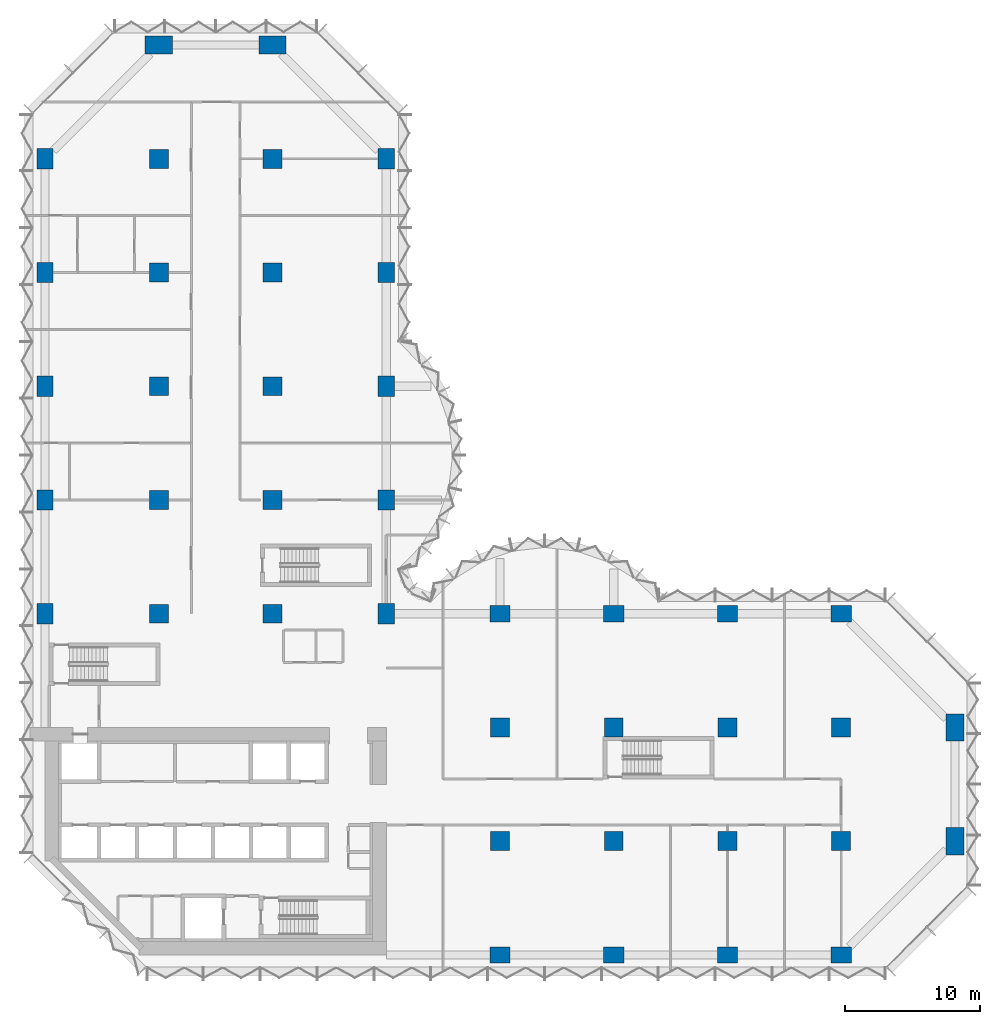
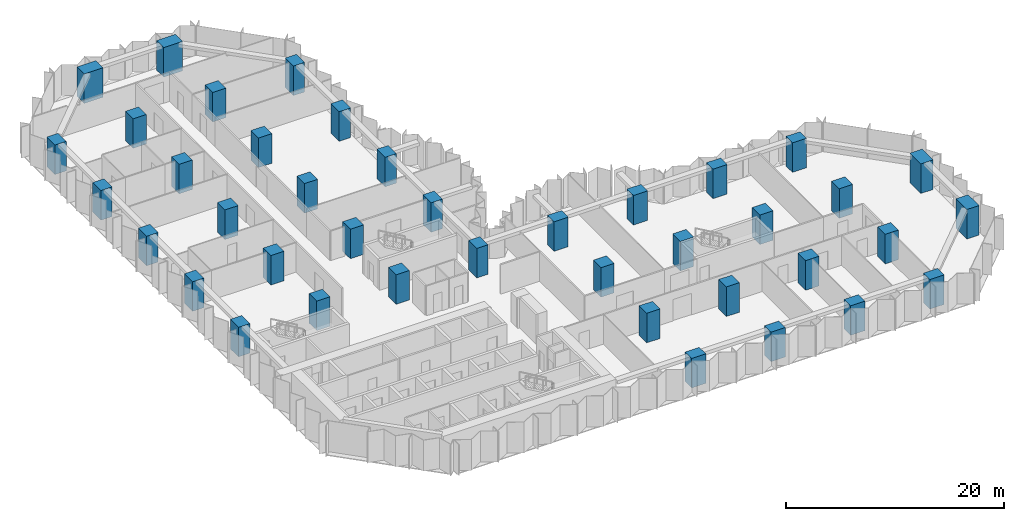
# One storey, part 1 of 15: 40 columns.
"""IFC4 building model written with IfcOpenShell, lengths in metres."""

import ifcopenshell
import ifcopenshell.guid

model = None  # the IFC model being written
_history = None  # IfcOwnerHistory: only IFC2X3 demands one
_inside = {}  # id of a spatial element -> (the spatial element, [elements in it])
_under = {}  # id of a project, library or spatial element -> (it, [spatial elements below it])
_declared = {}  # id of a project -> (the project, [libraries it declares])
_typed = {}  # id of a type object -> (the type object, [elements of that type])
_made_of = {}  # id of a material, layer set ... -> (it, [elements and type objects made of it])


def new_model(schema):
    """Start an empty IFC model of exactly this schema.

    Asked for "IFC4X3", IfcOpenShell would pick the latest addendum, in which some entities
    have other attributes; the version numbers below select the first issue.
    IFC2X3 requires an IfcOwnerHistory on every rooted entity: one is made here for all.
    """
    global model, _history
    if schema == "IFC4X3":
        model = ifcopenshell.file(schema_version=(4, 3, 0, 0))
    else:
        model = ifcopenshell.file(schema=schema)
    _inside.clear()
    _under.clear()
    _declared.clear()
    _typed.clear()
    _made_of.clear()
    _history = None
    if model.schema == "IFC2X3":
        org = make("IfcOrganization", Name="unknown")
        user = make(
            "IfcPersonAndOrganization",
            ThePerson=make("IfcPerson", FamilyName="unknown"),
            TheOrganization=org,
        )
        app = make(
            "IfcApplication",
            ApplicationDeveloper=org,
            Version="unknown",
            ApplicationFullName="unknown",
            ApplicationIdentifier="unknown",
        )
        _history = make(
            "IfcOwnerHistory",
            OwningUser=user,
            OwningApplication=app,
            ChangeAction="ADDED",
            CreationDate=0,
        )
    return model


def make(cls, **values):
    """One entity of the class cls with the attributes given. An attribute that is None is left unset."""
    return model.create_entity(
        cls, **{name: value for name, value in values.items() if value is not None}
    )


def rooted(cls, **values):
    """An entity with a GlobalId (a new one), such as an element, a storey or a relation."""
    return make(cls, GlobalId=ifcopenshell.guid.new(), OwnerHistory=_history, **values)


def si_unit(unit_type, name, prefix=None):
    """IfcSIUnit, for example si_unit("LENGTHUNIT", "METRE", prefix="MILLI")."""
    return make("IfcSIUnit", UnitType=unit_type, Prefix=prefix, Name=name)


def assignment(units):
    """IfcUnitAssignment: the units of a project."""
    return None if units is None else make("IfcUnitAssignment", Units=units)


def point(xyz):
    """IfcCartesianPoint."""
    return None if xyz is None else make("IfcCartesianPoint", Coordinates=xyz)


def direction(xyz):
    """IfcDirection."""
    return None if xyz is None else make("IfcDirection", DirectionRatios=xyz)


def frame(location, z_axis=None, x_axis=None):
    """IfcAxis2Placement3D, a coordinate frame: its origin and axes. An axis left out is left unset."""
    return make(
        "IfcAxis2Placement3D",
        Location=point(location),
        Axis=direction(z_axis),
        RefDirection=direction(x_axis),
    )


def frame_2d(location, x_axis=None):
    """IfcAxis2Placement2D, a coordinate frame in the plane: its origin and x axis."""
    return make(
        "IfcAxis2Placement2D", Location=point(location), RefDirection=direction(x_axis)
    )


def origin():
    """The frame at (0, 0, 0) with its axes left unset."""
    return frame((0.0, 0.0, 0.0))


def origin_2d():
    """The frame at (0, 0) in the plane with its x axis left unset."""
    return frame_2d((0.0, 0.0))


def place(relative_to, where):
    """IfcLocalPlacement: puts the frame where relative to a parent placement (None: the world)."""
    return make(
        "IfcLocalPlacement", PlacementRelTo=relative_to, RelativePlacement=where
    )


def context(
    kind, dimensions, precision=None, world=None, true_north=None, identifier=None
):
    """IfcGeometricRepresentationContext, for example the 3D "Model" context."""
    return make(
        "IfcGeometricRepresentationContext",
        ContextIdentifier=identifier,
        ContextType=kind,
        CoordinateSpaceDimension=dimensions,
        Precision=precision,
        WorldCoordinateSystem=world,
        TrueNorth=true_north,
    )


def subcontext(parent, identifier, kind, view, scale=None):
    """IfcGeometricRepresentationSubContext, for example "Body" below "Model"."""
    return make(
        "IfcGeometricRepresentationSubContext",
        ContextIdentifier=identifier,
        ContextType=kind,
        ParentContext=parent,
        TargetScale=scale,
        TargetView=view,
    )


def project(units=None, contexts=None):
    """IfcProject with its units and contexts."""
    return rooted(
        "IfcProject",
        Name="project",
        RepresentationContexts=contexts,
        UnitsInContext=assignment(units),
    )


def spatial(cls, under=None, at=None, **own):
    """A site, building, storey or space (cls), placed at a placement, below another one or the project."""
    s = rooted(cls, ObjectPlacement=at, **own)
    if under is not None:
        _under.setdefault(under.id(), (under, []))[1].append(s)
    return s


def profile(cls, at=None, kind="AREA", **sizes):
    """A parametric profile (cls). Its sizes go by their IFC names, for example OverallWidth=200.0."""
    return make(cls, ProfileType=kind, Position=at, **sizes)


def rectangle(**sizes):
    """IfcRectangleProfileDef."""
    return profile("IfcRectangleProfileDef", **sizes)


def extrude(swept, where, along, depth):
    """IfcExtrudedAreaSolid: the profile swept, set in the frame where, extruded along a direction by depth."""
    return make(
        "IfcExtrudedAreaSolid",
        SweptArea=swept,
        Position=where,
        ExtrudedDirection=direction(along),
        Depth=depth,
    )


def shape(context_of_items, identifier, shape_type, items):
    """IfcShapeRepresentation: the items that make up one representation, for example the "Body"."""
    return make(
        "IfcShapeRepresentation",
        ContextOfItems=context_of_items,
        RepresentationIdentifier=identifier,
        RepresentationType=shape_type,
        Items=items,
    )


def material(Name=None, Category=None):
    """IfcMaterial."""
    return make("IfcMaterial", Name=Name, Category=Category)


def material_profile(
    of_material, cross_section, Name=None, Category=None, Priority=None
):
    """IfcMaterialProfile: a cross section and its material."""
    return make(
        "IfcMaterialProfile",
        Name=Name,
        Material=of_material,
        Profile=cross_section,
        Priority=Priority,
        Category=Category,
    )


def profile_set(profiles, Name=None, composite=None):
    """IfcMaterialProfileSet."""
    return make(
        "IfcMaterialProfileSet",
        Name=Name,
        MaterialProfiles=profiles,
        CompositeProfile=composite,
    )


def made_of(thing, what):
    """Note that an element or type object is made of a material, layer set ...; save() writes the relation."""
    if what is not None:
        _made_of.setdefault(what.id(), (what, []))[1].append(thing)
    return thing


def type_object(cls, material=None, **own):
    """A type object (cls), such as IfcWallType, which elements share."""
    return made_of(rooted(cls, **own), material)


def element(
    cls,
    number,
    at=None,
    inside=None,
    cuts=None,
    type_object=None,
    material=None,
    context=None,
    identifier="Body",
    shape_type=None,
    held_by="IfcProductDefinitionShape",
    body=None,
    shapes=None,
    **own,
):
    """One element of the class cls, such as IfcWall. Its Tag is "e" and its number.

    at: its placement. inside: the storey or other place that contains it. cuts: it is an
    opening in that element (IfcRelVoidsElement). A single representation is given by context,
    identifier, shape_type and body (its items); several are given by shapes. held_by: the class
    of the entity that holds the representations. save() writes the other relations.
    """
    e = rooted(cls, Tag="e%d" % number, ObjectPlacement=at, **own)
    if body is not None:
        shapes = [shape(context, identifier, shape_type, body)]
    if shapes is not None:
        e.Representation = make(held_by, Representations=shapes)
    if inside is not None:
        _inside.setdefault(inside.id(), (inside, []))[1].append(e)
    if cuts is not None:
        rooted(
            "IfcRelVoidsElement", RelatingBuildingElement=cuts, RelatedOpeningElement=e
        )
    if type_object is not None:
        _typed.setdefault(type_object.id(), (type_object, []))[1].append(e)
    return made_of(e, material)


def aggregate(whole, parts):
    """IfcRelAggregates: a whole, such as a stair, and the parts it consists of."""
    return rooted("IfcRelAggregates", RelatingObject=whole, RelatedObjects=parts)


def save(model, path):
    """Write the relations noted so far, then the file.

    IfcRelAggregates (storeys below a building ...), IfcRelContainedInSpatialStructure (elements
    in a storey), IfcRelDefinesByType, IfcRelAssociatesMaterial and IfcRelDeclares: one each for
    every whole, place, type object, material and project.
    """
    for whole, parts in _under.values():
        aggregate(whole, parts)
    for where, things in _inside.values():
        rooted(
            "IfcRelContainedInSpatialStructure",
            RelatedElements=things,
            RelatingStructure=where,
        )
    for kind, things in _typed.values():
        rooted("IfcRelDefinesByType", RelatedObjects=things, RelatingType=kind)
    for what, things in _made_of.values():
        rooted("IfcRelAssociatesMaterial", RelatedObjects=things, RelatingMaterial=what)
    for by, libraries in _declared.values():
        rooted("IfcRelDeclares", RelatingContext=by, RelatedDefinitions=libraries)
    model.write(path)


model = new_model("IFC4")

# Units and contexts
model_context = context("Model", 3, precision=1e-05, world=origin(), true_north=direction((0.0, 1.0)))
body_context = subcontext(model_context, "Body", "Model", "MODEL_VIEW")
ifc_project = project(units=[si_unit("LENGTHUNIT", "METRE"), si_unit("AREAUNIT", "SQUARE_METRE"), si_unit("VOLUMEUNIT", "CUBIC_METRE"), si_unit("PLANEANGLEUNIT", "RADIAN"), si_unit("MASSUNIT", "GRAM", prefix="KILO")], contexts=[model_context])

# Site, building, storey
site_placement = place(None, origin())
site = spatial("IfcSite", under=ifc_project, at=site_placement, CompositionType="ELEMENT")
building_placement = place(site_placement, origin())
building = spatial("IfcBuilding", under=site, at=building_placement, Name="Brevane Broadcast Tower", CompositionType="ELEMENT")
storey_placement = place(building_placement, frame((0.0, 0.0, 83.300048828125)))
storey = spatial("IfcBuildingStorey", under=building, at=storey_placement, Name="L19", CompositionType="ELEMENT", Elevation=83.300048828125)

# Columns
ifc_material = material(Name="Concrete C80/95", Category="concrete")
ifc_material_profile_1 = material_profile(ifc_material, rectangle(XDim=1.199951171875, YDim=1.5, at=origin_2d()), Name="RC 1200x1500")
ifc_profile_set_1 = profile_set([ifc_material_profile_1], Name="Concrete C80/95")
column_type_1 = type_object("IfcColumnType", Name="RC COLUMN EDGE 1200x1500 C80/95", PredefinedType="COLUMN", material=ifc_profile_set_1)
for number, where, z_axis, x_axis, name in (
    (1, (0.0, 25.199951171875, 0.0), (0.0, 0.0, 1.0), (1.0, 0.0, 0.0), "CE5 1/D"),
    (2, (0.0, 33.60009765625, 0.0), (0.0, 0.0, 1.0), (1.0, 0.0, 0.0), "CE5 1/E"),
    (3, (0.0, 42.0, 0.0), (0.0, 0.0, 1.0), (1.0, 0.0, 0.0), "CE5 1/F"),
    (4, (0.0, 50.39990234375, 0.0), (0.0, 0.0, 1.0), (1.0, 0.0, 0.0), "CE5 1/G"),
    (5, (0.0, 58.800048828125, 0.0), (0.0, 0.0, 1.0), (1.0, 0.0, 0.0), "CE5 1/H"),
    (6, (25.199951171875, 25.199951171875, 0.0), (0.0, 0.0, 1.0), (1.0, 0.0, 0.0), "CE5 4/D"),
    (7, (25.199951171875, 33.60009765625, 0.0), (0.0, 0.0, 1.0), (1.0, 0.0, 0.0), "CE5 4/E"),
    (8, (25.199951171875, 42.0, 0.0), (0.0, 0.0, 1.0), (1.0, 0.0, 0.0), "CE5 4/F"),
    (9, (25.199951171875, 50.39990234375, 0.0), (0.0, 0.0, 1.0), (1.0, 0.0, 0.0), "CE5 4/G"),
    (10, (25.199951171875, 58.800048828125, 0.0), (0.0, 0.0, 1.0), (1.0, 0.0, 0.0), "CE5 4/H"),
    (11, (33.60009765625, 0.0, 0.0), (0.0, 0.0, 1.0), (0.0, 1.0, 0.0), "CE5 5/A"),
    (12, (33.60009765625, 25.199951171875, 0.0), (0.0, 0.0, 1.0), (0.0, 1.0, 0.0), "CE5 5/D"),
    (13, (42.0, 0.0, 0.0), (0.0, 0.0, 1.0), (0.0, 1.0, 0.0), "CE5 6/A"),
    (14, (42.0, 25.199951171875, 0.0), (0.0, 0.0, 1.0), (0.0, 1.0, 0.0), "CE5 6/D"),
    (15, (50.39990234375, 0.0, 0.0), (0.0, 0.0, 1.0), (0.0, 1.0, 0.0), "CE5 7/A"),
    (16, (50.39990234375, 25.199951171875, 0.0), (0.0, 0.0, 1.0), (0.0, 1.0, 0.0), "CE5 7/D"),
    (17, (58.800048828125, 0.0, 0.0), (0.0, 0.0, 1.0), (0.0, 1.0, 0.0), "CE5 8/A"),
    (18, (58.800048828125, 25.199951171875, 0.0), (0.0, 0.0, 1.0), (0.0, 1.0, 0.0), "CE5 8/D"),
):
    element("IfcColumn", number, at=place(storey_placement, frame(where, z_axis=z_axis, x_axis=x_axis)), inside=storey, type_object=column_type_1, Name=name, PredefinedType="COLUMN", context=body_context, shape_type="SweptSolid", body=[
        extrude(rectangle(XDim=1.199951171875, YDim=1.5, at=origin_2d()), origin(), (0.0, 0.0, 1.0), 3.300048828125),
    ])
ifc_material_profile_2 = material_profile(ifc_material, rectangle(XDim=1.39990234375, YDim=1.39990234375, at=origin_2d()), Name="RC 1400x1400")
ifc_profile_set_2 = profile_set([ifc_material_profile_2], Name="Concrete C80/95")
column_type_2 = type_object("IfcColumnType", Name="RC COLUMN INTERIOR 1400x1400 C80/95", PredefinedType="COLUMN", material=ifc_profile_set_2)
for number, where, z_axis, x_axis, name in (
    (19, (8.39990234375, 25.199951171875, 0.0), (0.0, 0.0, 1.0), (1.0, 0.0, 0.0), "CI6 2/D"),
    (20, (8.39990234375, 33.60009765625, 0.0), (0.0, 0.0, 1.0), (1.0, 0.0, 0.0), "CI6 2/E"),
    (21, (8.39990234375, 42.0, 0.0), (0.0, 0.0, 1.0), (1.0, 0.0, 0.0), "CI6 2/F"),
    (22, (8.39990234375, 50.39990234375, 0.0), (0.0, 0.0, 1.0), (1.0, 0.0, 0.0), "CI6 2/G"),
    (23, (8.39990234375, 58.800048828125, 0.0), (0.0, 0.0, 1.0), (1.0, 0.0, 0.0), "CI6 2/H"),
    (24, (16.800048828125, 25.199951171875, 0.0), (0.0, 0.0, 1.0), (1.0, 0.0, 0.0), "CI6 3/D"),
    (25, (16.800048828125, 33.60009765625, 0.0), (0.0, 0.0, 1.0), (1.0, 0.0, 0.0), "CI6 3/E"),
    (26, (16.800048828125, 42.0, 0.0), (0.0, 0.0, 1.0), (1.0, 0.0, 0.0), "CI6 3/F"),
    (27, (16.800048828125, 50.39990234375, 0.0), (0.0, 0.0, 1.0), (1.0, 0.0, 0.0), "CI6 3/G"),
    (28, (16.800048828125, 58.800048828125, 0.0), (0.0, 0.0, 1.0), (1.0, 0.0, 0.0), "CI6 3/H"),
    (29, (33.60009765625, 8.39990234375, 0.0), (0.0, 0.0, 1.0), (1.0, 0.0, 0.0), "CI6 5/B"),
    (30, (33.60009765625, 16.800048828125, 0.0), (0.0, 0.0, 1.0), (1.0, 0.0, 0.0), "CI6 5/C"),
    (31, (42.0, 8.39990234375, 0.0), (0.0, 0.0, 1.0), (1.0, 0.0, 0.0), "CI6 6/B"),
    (32, (42.0, 16.800048828125, 0.0), (0.0, 0.0, 1.0), (1.0, 0.0, 0.0), "CI6 6/C"),
    (33, (50.39990234375, 8.39990234375, 0.0), (0.0, 0.0, 1.0), (1.0, 0.0, 0.0), "CI6 7/B"),
    (34, (50.39990234375, 16.800048828125, 0.0), (0.0, 0.0, 1.0), (1.0, 0.0, 0.0), "CI6 7/C"),
    (35, (58.800048828125, 8.39990234375, 0.0), (0.0, 0.0, 1.0), (1.0, 0.0, 0.0), "CI6 8/B"),
    (36, (58.800048828125, 16.800048828125, 0.0), (0.0, 0.0, 1.0), (1.0, 0.0, 0.0), "CI6 8/C"),
):
    element("IfcColumn", number, at=place(storey_placement, frame(where, z_axis=z_axis, x_axis=x_axis)), inside=storey, type_object=column_type_2, Name=name, PredefinedType="COLUMN", context=body_context, shape_type="SweptSolid", body=[
        extrude(rectangle(XDim=1.39990234375, YDim=1.39990234375, at=origin_2d()), origin(), (0.0, 0.0, 1.0), 3.300048828125),
    ])
ifc_material_profile_3 = material_profile(ifc_material, rectangle(XDim=1.300048828125, YDim=2.0, at=origin_2d()), Name="RC 1300x2000")
ifc_profile_set_3 = profile_set([ifc_material_profile_3], Name="Concrete C80/95")
column_type_3 = type_object("IfcColumnType", Name="RC COLUMN WING-END 1300x2000 C80/95", PredefinedType="COLUMN", material=ifc_profile_set_3)
for number, where, z_axis, x_axis, name in (
    (37, (8.39990234375, 67.199951171875, 0.0), (0.0, 0.0, 1.0), (0.0, 1.0, 0.0), "CW7 2/I"),
    (38, (16.800048828125, 67.199951171875, 0.0), (0.0, 0.0, 1.0), (0.0, 1.0, 0.0), "CW7 3/I"),
    (39, (67.199951171875, 8.39990234375, 0.0), (0.0, 0.0, 1.0), (1.0, 0.0, 0.0), "CW7 9/B"),
    (40, (67.199951171875, 16.800048828125, 0.0), (0.0, 0.0, 1.0), (1.0, 0.0, 0.0), "CW7 9/C"),
):
    element("IfcColumn", number, at=place(storey_placement, frame(where, z_axis=z_axis, x_axis=x_axis)), inside=storey, type_object=column_type_3, Name=name, PredefinedType="COLUMN", context=body_context, shape_type="SweptSolid", body=[
        extrude(rectangle(XDim=1.300048828125, YDim=2.0, at=origin_2d()), origin(), (0.0, 0.0, 1.0), 3.300048828125),
    ])

save(model, "model.ifc")
